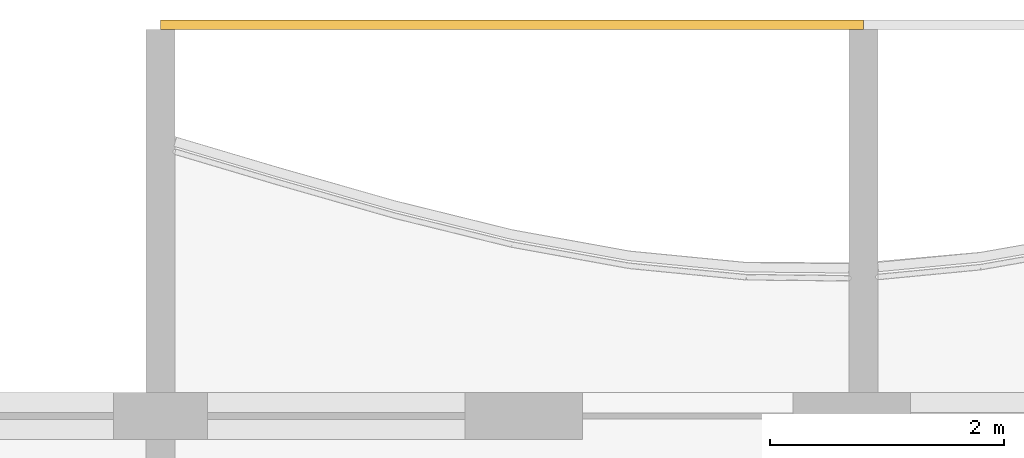
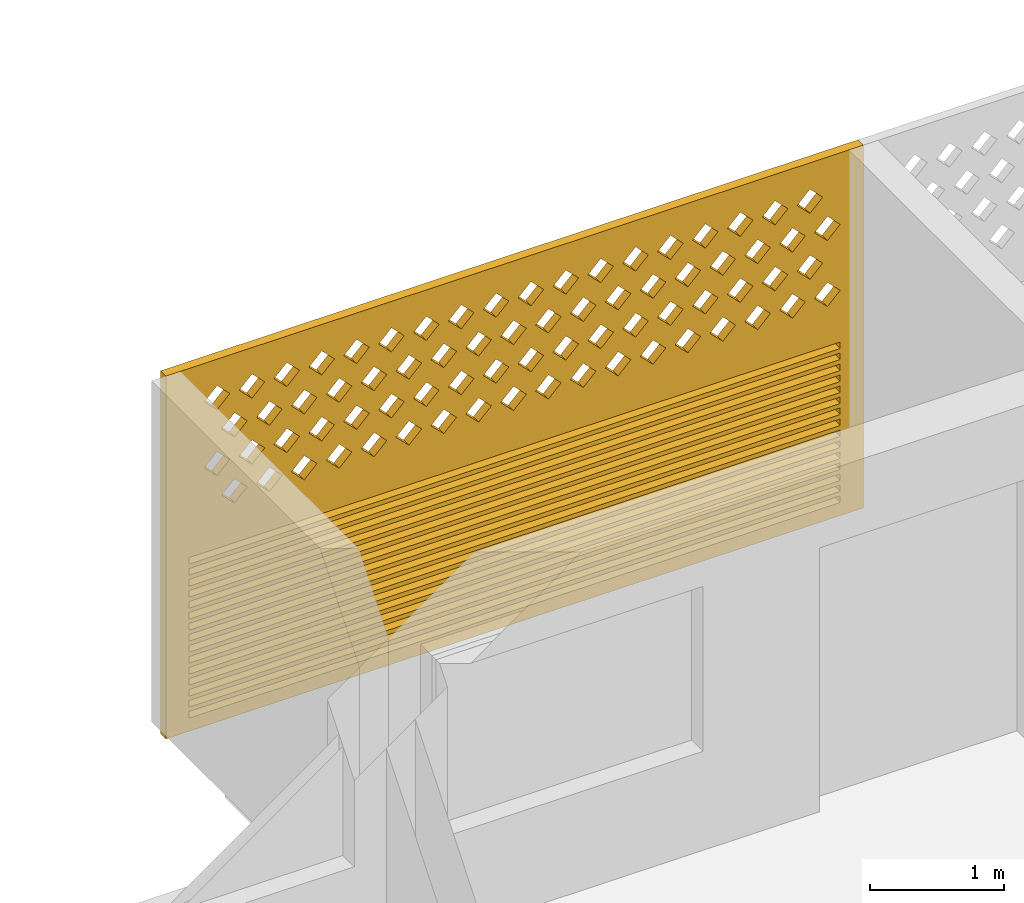
# One storey, part 22 of 26: 1 covering.
"""IFC4 building model written with IfcOpenShell, lengths in metres."""

from ifc_helpers import new_model, si_unit, direction, frame, origin, place, context, subcontext, project, spatial, polyline, outline, extrude, source, transform, mapped, material, material_profile, profile_set, type_object, element, save


model = new_model("IFC4")

# Units and contexts
model_context = context("Model", 3, precision=1e-05, world=origin(), true_north=direction((0.0, 1.0)))
body_context = subcontext(model_context, "Body", "Model", "MODEL_VIEW")
ifc_project = project(units=[si_unit("LENGTHUNIT", "METRE"), si_unit("AREAUNIT", "SQUARE_METRE"), si_unit("VOLUMEUNIT", "CUBIC_METRE"), si_unit("PLANEANGLEUNIT", "RADIAN"), si_unit("MASSUNIT", "GRAM", prefix="KILO")], contexts=[model_context])

# Site, building, storey
site_placement = place(None, origin())
site = spatial("IfcSite", under=ifc_project, at=site_placement, CompositionType="ELEMENT")
building_placement = place(site_placement, origin())
building = spatial("IfcBuilding", under=site, at=building_placement, Name="Poui Terraces", CompositionType="ELEMENT")
storey_placement = place(building_placement, frame((0.0, 0.0, 228.0)))
storey = spatial("IfcBuildingStorey", under=building, at=storey_placement, Name="L63", CompositionType="ELEMENT", Elevation=228.0)

# Covering
ifc_material = material(Name="Terracotta screen", Category="masonry")
ifc_material_profile = material_profile(ifc_material, outline(polyline([(-3.0, -1.64990234375), (3.0, -1.64990234375), (3.0, 1.64990234375), (-3.0, 1.64990234375), (-3.0, -1.64990234375)]), holes=[polyline([(-2.800048828125, 0.39990234375), (-2.68994140625, 0.2900390625), (-2.580078125, 0.39990234375), (-2.68994140625, 0.510009765625), (-2.800048828125, 0.39990234375)]), polyline([(-2.5, 0.39990234375), (-2.389892578125, 0.2900390625), (-2.280029296875, 0.39990234375), (-2.389892578125, 0.510009765625), (-2.5, 0.39990234375)]), polyline([(-2.199951171875, 0.39990234375), (-2.090087890625, 0.2900390625), (-1.97998046875, 0.39990234375), (-2.090087890625, 0.510009765625), (-2.199951171875, 0.39990234375)]), polyline([(-1.89990234375, 0.39990234375), (-1.7900390625, 0.2900390625), (-1.679931640625, 0.39990234375), (-1.7900390625, 0.510009765625), (-1.89990234375, 0.39990234375)]), polyline([(-1.60009765625, 0.39990234375), (-1.489990234375, 0.2900390625), (-1.3798828125, 0.39990234375), (-1.489990234375, 0.510009765625), (-1.60009765625, 0.39990234375)]), polyline([(-1.300048828125, 0.39990234375), (-1.18994140625, 0.2900390625), (-1.080078125, 0.39990234375), (-1.18994140625, 0.510009765625), (-1.300048828125, 0.39990234375)]), polyline([(-1.0, 0.39990234375), (-0.889892578125, 0.2900390625), (-0.780029296875, 0.39990234375), (-0.889892578125, 0.510009765625), (-1.0, 0.39990234375)]), polyline([(-0.699951171875, 0.39990234375), (-0.590087890625, 0.2900390625), (-0.47998046875, 0.39990234375), (-0.590087890625, 0.510009765625), (-0.699951171875, 0.39990234375)]), polyline([(-0.39990234375, 0.39990234375), (-0.2900390625, 0.2900390625), (-0.179931640625, 0.39990234375), (-0.2900390625, 0.510009765625), (-0.39990234375, 0.39990234375)]), polyline([(-0.10009765625, 0.39990234375), (0.010009765625, 0.2900390625), (0.1201171875, 0.39990234375), (0.010009765625, 0.510009765625), (-0.10009765625, 0.39990234375)]), polyline([(0.199951171875, 0.39990234375), (0.31005859375, 0.2900390625), (0.419921875, 0.39990234375), (0.31005859375, 0.510009765625), (0.199951171875, 0.39990234375)]), polyline([(0.5, 0.39990234375), (0.610107421875, 0.2900390625), (0.719970703125, 0.39990234375), (0.610107421875, 0.510009765625), (0.5, 0.39990234375)]), polyline([(0.800048828125, 0.39990234375), (0.909912109375, 0.2900390625), (1.02001953125, 0.39990234375), (0.909912109375, 0.510009765625), (0.800048828125, 0.39990234375)]), polyline([(1.10009765625, 0.39990234375), (1.2099609375, 0.2900390625), (1.320068359375, 0.39990234375), (1.2099609375, 0.510009765625), (1.10009765625, 0.39990234375)]), polyline([(1.39990234375, 0.39990234375), (1.510009765625, 0.2900390625), (1.6201171875, 0.39990234375), (1.510009765625, 0.510009765625), (1.39990234375, 0.39990234375)]), polyline([(1.699951171875, 0.39990234375), (1.81005859375, 0.2900390625), (1.919921875, 0.39990234375), (1.81005859375, 0.510009765625), (1.699951171875, 0.39990234375)]), polyline([(2.0, 0.39990234375), (2.110107421875, 0.2900390625), (2.219970703125, 0.39990234375), (2.110107421875, 0.510009765625), (2.0, 0.39990234375)]), polyline([(2.300048828125, 0.39990234375), (2.409912109375, 0.2900390625), (2.52001953125, 0.39990234375), (2.409912109375, 0.510009765625), (2.300048828125, 0.39990234375)]), polyline([(-2.64990234375, 0.699951171875), (-2.5400390625, 0.590087890625), (-2.429931640625, 0.699951171875), (-2.5400390625, 0.81005859375), (-2.64990234375, 0.699951171875)]), polyline([(-2.35009765625, 0.699951171875), (-2.239990234375, 0.590087890625), (-2.1298828125, 0.699951171875), (-2.239990234375, 0.81005859375), (-2.35009765625, 0.699951171875)]), polyline([(-2.050048828125, 0.699951171875), (-1.93994140625, 0.590087890625), (-1.830078125, 0.699951171875), (-1.93994140625, 0.81005859375), (-2.050048828125, 0.699951171875)]), polyline([(-1.75, 0.699951171875), (-1.639892578125, 0.590087890625), (-1.530029296875, 0.699951171875), (-1.639892578125, 0.81005859375), (-1.75, 0.699951171875)]), polyline([(-1.449951171875, 0.699951171875), (-1.340087890625, 0.590087890625), (-1.22998046875, 0.699951171875), (-1.340087890625, 0.81005859375), (-1.449951171875, 0.699951171875)]), polyline([(-1.14990234375, 0.699951171875), (-1.0400390625, 0.590087890625), (-0.929931640625, 0.699951171875), (-1.0400390625, 0.81005859375), (-1.14990234375, 0.699951171875)]), polyline([(-0.85009765625, 0.699951171875), (-0.739990234375, 0.590087890625), (-0.6298828125, 0.699951171875), (-0.739990234375, 0.81005859375), (-0.85009765625, 0.699951171875)]), polyline([(-0.550048828125, 0.699951171875), (-0.43994140625, 0.590087890625), (-0.330078125, 0.699951171875), (-0.43994140625, 0.81005859375), (-0.550048828125, 0.699951171875)]), polyline([(-0.25, 0.699951171875), (-0.139892578125, 0.590087890625), (-0.030029296875, 0.699951171875), (-0.139892578125, 0.81005859375), (-0.25, 0.699951171875)]), polyline([(0.050048828125, 0.699951171875), (0.159912109375, 0.590087890625), (0.27001953125, 0.699951171875), (0.159912109375, 0.81005859375), (0.050048828125, 0.699951171875)]), polyline([(0.35009765625, 0.699951171875), (0.4599609375, 0.590087890625), (0.570068359375, 0.699951171875), (0.4599609375, 0.81005859375), (0.35009765625, 0.699951171875)]), polyline([(0.64990234375, 0.699951171875), (0.760009765625, 0.590087890625), (0.8701171875, 0.699951171875), (0.760009765625, 0.81005859375), (0.64990234375, 0.699951171875)]), polyline([(0.949951171875, 0.699951171875), (1.06005859375, 0.590087890625), (1.169921875, 0.699951171875), (1.06005859375, 0.81005859375), (0.949951171875, 0.699951171875)]), polyline([(1.25, 0.699951171875), (1.360107421875, 0.590087890625), (1.469970703125, 0.699951171875), (1.360107421875, 0.81005859375), (1.25, 0.699951171875)]), polyline([(1.550048828125, 0.699951171875), (1.659912109375, 0.590087890625), (1.77001953125, 0.699951171875), (1.659912109375, 0.81005859375), (1.550048828125, 0.699951171875)]), polyline([(1.85009765625, 0.699951171875), (1.9599609375, 0.590087890625), (2.070068359375, 0.699951171875), (1.9599609375, 0.81005859375), (1.85009765625, 0.699951171875)]), polyline([(2.14990234375, 0.699951171875), (2.260009765625, 0.590087890625), (2.3701171875, 0.699951171875), (2.260009765625, 0.81005859375), (2.14990234375, 0.699951171875)]), polyline([(2.449951171875, 0.699951171875), (2.56005859375, 0.590087890625), (2.669921875, 0.699951171875), (2.56005859375, 0.81005859375), (2.449951171875, 0.699951171875)]), polyline([(-2.800048828125, 1.0), (-2.68994140625, 0.889892578125), (-2.580078125, 1.0), (-2.68994140625, 1.110107421875), (-2.800048828125, 1.0)]), polyline([(-2.5, 1.0), (-2.389892578125, 0.889892578125), (-2.280029296875, 1.0), (-2.389892578125, 1.110107421875), (-2.5, 1.0)]), polyline([(-2.199951171875, 1.0), (-2.090087890625, 0.889892578125), (-1.97998046875, 1.0), (-2.090087890625, 1.110107421875), (-2.199951171875, 1.0)]), polyline([(-1.89990234375, 1.0), (-1.7900390625, 0.889892578125), (-1.679931640625, 1.0), (-1.7900390625, 1.110107421875), (-1.89990234375, 1.0)]), polyline([(-1.60009765625, 1.0), (-1.489990234375, 0.889892578125), (-1.3798828125, 1.0), (-1.489990234375, 1.110107421875), (-1.60009765625, 1.0)]), polyline([(-1.300048828125, 1.0), (-1.18994140625, 0.889892578125), (-1.080078125, 1.0), (-1.18994140625, 1.110107421875), (-1.300048828125, 1.0)]), polyline([(-1.0, 1.0), (-0.889892578125, 0.889892578125), (-0.780029296875, 1.0), (-0.889892578125, 1.110107421875), (-1.0, 1.0)]), polyline([(-0.699951171875, 1.0), (-0.590087890625, 0.889892578125), (-0.47998046875, 1.0), (-0.590087890625, 1.110107421875), (-0.699951171875, 1.0)]), polyline([(-0.39990234375, 1.0), (-0.2900390625, 0.889892578125), (-0.179931640625, 1.0), (-0.2900390625, 1.110107421875), (-0.39990234375, 1.0)]), polyline([(-0.10009765625, 1.0), (0.010009765625, 0.889892578125), (0.1201171875, 1.0), (0.010009765625, 1.110107421875), (-0.10009765625, 1.0)]), polyline([(0.199951171875, 1.0), (0.31005859375, 0.889892578125), (0.419921875, 1.0), (0.31005859375, 1.110107421875), (0.199951171875, 1.0)]), polyline([(0.5, 1.0), (0.610107421875, 0.889892578125), (0.719970703125, 1.0), (0.610107421875, 1.110107421875), (0.5, 1.0)]), polyline([(0.800048828125, 1.0), (0.909912109375, 0.889892578125), (1.02001953125, 1.0), (0.909912109375, 1.110107421875), (0.800048828125, 1.0)]), polyline([(1.10009765625, 1.0), (1.2099609375, 0.889892578125), (1.320068359375, 1.0), (1.2099609375, 1.110107421875), (1.10009765625, 1.0)]), polyline([(1.39990234375, 1.0), (1.510009765625, 0.889892578125), (1.6201171875, 1.0), (1.510009765625, 1.110107421875), (1.39990234375, 1.0)]), polyline([(1.699951171875, 1.0), (1.81005859375, 0.889892578125), (1.919921875, 1.0), (1.81005859375, 1.110107421875), (1.699951171875, 1.0)]), polyline([(2.0, 1.0), (2.110107421875, 0.889892578125), (2.219970703125, 1.0), (2.110107421875, 1.110107421875), (2.0, 1.0)]), polyline([(2.300048828125, 1.0), (2.409912109375, 0.889892578125), (2.52001953125, 1.0), (2.409912109375, 1.110107421875), (2.300048828125, 1.0)]), polyline([(-2.64990234375, 1.300048828125), (-2.5400390625, 1.18994140625), (-2.429931640625, 1.300048828125), (-2.5400390625, 1.409912109375), (-2.64990234375, 1.300048828125)]), polyline([(-2.35009765625, 1.300048828125), (-2.239990234375, 1.18994140625), (-2.1298828125, 1.300048828125), (-2.239990234375, 1.409912109375), (-2.35009765625, 1.300048828125)]), polyline([(-2.050048828125, 1.300048828125), (-1.93994140625, 1.18994140625), (-1.830078125, 1.300048828125), (-1.93994140625, 1.409912109375), (-2.050048828125, 1.300048828125)]), polyline([(-1.75, 1.300048828125), (-1.639892578125, 1.18994140625), (-1.530029296875, 1.300048828125), (-1.639892578125, 1.409912109375), (-1.75, 1.300048828125)]), polyline([(-1.449951171875, 1.300048828125), (-1.340087890625, 1.18994140625), (-1.22998046875, 1.300048828125), (-1.340087890625, 1.409912109375), (-1.449951171875, 1.300048828125)]), polyline([(-1.14990234375, 1.300048828125), (-1.0400390625, 1.18994140625), (-0.929931640625, 1.300048828125), (-1.0400390625, 1.409912109375), (-1.14990234375, 1.300048828125)]), polyline([(-0.85009765625, 1.300048828125), (-0.739990234375, 1.18994140625), (-0.6298828125, 1.300048828125), (-0.739990234375, 1.409912109375), (-0.85009765625, 1.300048828125)]), polyline([(-0.550048828125, 1.300048828125), (-0.43994140625, 1.18994140625), (-0.330078125, 1.300048828125), (-0.43994140625, 1.409912109375), (-0.550048828125, 1.300048828125)]), polyline([(-0.25, 1.300048828125), (-0.139892578125, 1.18994140625), (-0.030029296875, 1.300048828125), (-0.139892578125, 1.409912109375), (-0.25, 1.300048828125)]), polyline([(0.050048828125, 1.300048828125), (0.159912109375, 1.18994140625), (0.27001953125, 1.300048828125), (0.159912109375, 1.409912109375), (0.050048828125, 1.300048828125)]), polyline([(0.35009765625, 1.300048828125), (0.4599609375, 1.18994140625), (0.570068359375, 1.300048828125), (0.4599609375, 1.409912109375), (0.35009765625, 1.300048828125)]), polyline([(0.64990234375, 1.300048828125), (0.760009765625, 1.18994140625), (0.8701171875, 1.300048828125), (0.760009765625, 1.409912109375), (0.64990234375, 1.300048828125)]), polyline([(0.949951171875, 1.300048828125), (1.06005859375, 1.18994140625), (1.169921875, 1.300048828125), (1.06005859375, 1.409912109375), (0.949951171875, 1.300048828125)]), polyline([(1.25, 1.300048828125), (1.360107421875, 1.18994140625), (1.469970703125, 1.300048828125), (1.360107421875, 1.409912109375), (1.25, 1.300048828125)]), polyline([(1.550048828125, 1.300048828125), (1.659912109375, 1.18994140625), (1.77001953125, 1.300048828125), (1.659912109375, 1.409912109375), (1.550048828125, 1.300048828125)]), polyline([(1.85009765625, 1.300048828125), (1.9599609375, 1.18994140625), (2.070068359375, 1.300048828125), (1.9599609375, 1.409912109375), (1.85009765625, 1.300048828125)]), polyline([(2.14990234375, 1.300048828125), (2.260009765625, 1.18994140625), (2.3701171875, 1.300048828125), (2.260009765625, 1.409912109375), (2.14990234375, 1.300048828125)]), polyline([(2.449951171875, 1.300048828125), (2.56005859375, 1.18994140625), (2.669921875, 1.300048828125), (2.56005859375, 1.409912109375), (2.449951171875, 1.300048828125)]), polyline([(-2.800048828125, -1.530029296875), (2.800048828125, -1.530029296875), (2.800048828125, -1.469970703125), (-2.800048828125, -1.469970703125), (-2.800048828125, -1.530029296875)]), polyline([(-2.800048828125, -1.429931640625), (2.800048828125, -1.429931640625), (2.800048828125, -1.3701171875), (-2.800048828125, -1.3701171875), (-2.800048828125, -1.429931640625)]), polyline([(-2.800048828125, -1.330078125), (2.800048828125, -1.330078125), (2.800048828125, -1.27001953125), (-2.800048828125, -1.27001953125), (-2.800048828125, -1.330078125)]), polyline([(-2.800048828125, -1.22998046875), (2.800048828125, -1.22998046875), (2.800048828125, -1.169921875), (-2.800048828125, -1.169921875), (-2.800048828125, -1.22998046875)]), polyline([(-2.800048828125, -1.1298828125), (2.800048828125, -1.1298828125), (2.800048828125, -1.070068359375), (-2.800048828125, -1.070068359375), (-2.800048828125, -1.1298828125)]), polyline([(-2.800048828125, -1.030029296875), (2.800048828125, -1.030029296875), (2.800048828125, -0.969970703125), (-2.800048828125, -0.969970703125), (-2.800048828125, -1.030029296875)]), polyline([(-2.800048828125, -0.929931640625), (2.800048828125, -0.929931640625), (2.800048828125, -0.8701171875), (-2.800048828125, -0.8701171875), (-2.800048828125, -0.929931640625)]), polyline([(-2.800048828125, -0.830078125), (2.800048828125, -0.830078125), (2.800048828125, -0.77001953125), (-2.800048828125, -0.77001953125), (-2.800048828125, -0.830078125)]), polyline([(-2.800048828125, -0.72998046875), (2.800048828125, -0.72998046875), (2.800048828125, -0.669921875), (-2.800048828125, -0.669921875), (-2.800048828125, -0.72998046875)]), polyline([(-2.800048828125, -0.6298828125), (2.800048828125, -0.6298828125), (2.800048828125, -0.570068359375), (-2.800048828125, -0.570068359375), (-2.800048828125, -0.6298828125)]), polyline([(-2.800048828125, -0.530029296875), (2.800048828125, -0.530029296875), (2.800048828125, -0.469970703125), (-2.800048828125, -0.469970703125), (-2.800048828125, -0.530029296875)]), polyline([(-2.800048828125, -0.429931640625), (2.800048828125, -0.429931640625), (2.800048828125, -0.3701171875), (-2.800048828125, -0.3701171875), (-2.800048828125, -0.429931640625)]), polyline([(-2.800048828125, -0.330078125), (2.800048828125, -0.330078125), (2.800048828125, -0.27001953125), (-2.800048828125, -0.27001953125), (-2.800048828125, -0.330078125)]), polyline([(-2.800048828125, -0.22998046875), (2.800048828125, -0.22998046875), (2.800048828125, -0.169921875), (-2.800048828125, -0.169921875), (-2.800048828125, -0.22998046875)]), polyline([(-2.800048828125, -0.1298828125), (2.800048828125, -0.1298828125), (2.800048828125, -0.070068359375), (-2.800048828125, -0.070068359375), (-2.800048828125, -0.1298828125)])]), Name="TERRACOTTA SCREEN AND JALOUSIE LOUVRE 6000X3300")
ifc_profile_set = profile_set([ifc_material_profile], Name="Terracotta screen")
covering_type = type_object("IfcCoveringType", Name="TERRACOTTA SCREEN AND JALOUSIE LOUVRE 6000X3300", PredefinedType="CLADDING", material=ifc_profile_set)
shared_shape = source(origin(), body_context, "Body", "SweptSolid", [
    extrude(outline(polyline([(-3.0, -1.64990234375), (3.0, -1.64990234375), (3.0, 1.64990234375), (-3.0, 1.64990234375), (-3.0, -1.64990234375)]), holes=[polyline([(-2.800048828125, 0.39990234375), (-2.68994140625, 0.2900390625), (-2.580078125, 0.39990234375), (-2.68994140625, 0.510009765625), (-2.800048828125, 0.39990234375)]), polyline([(-2.5, 0.39990234375), (-2.389892578125, 0.2900390625), (-2.280029296875, 0.39990234375), (-2.389892578125, 0.510009765625), (-2.5, 0.39990234375)]), polyline([(-2.199951171875, 0.39990234375), (-2.090087890625, 0.2900390625), (-1.97998046875, 0.39990234375), (-2.090087890625, 0.510009765625), (-2.199951171875, 0.39990234375)]), polyline([(-1.89990234375, 0.39990234375), (-1.7900390625, 0.2900390625), (-1.679931640625, 0.39990234375), (-1.7900390625, 0.510009765625), (-1.89990234375, 0.39990234375)]), polyline([(-1.60009765625, 0.39990234375), (-1.489990234375, 0.2900390625), (-1.3798828125, 0.39990234375), (-1.489990234375, 0.510009765625), (-1.60009765625, 0.39990234375)]), polyline([(-1.300048828125, 0.39990234375), (-1.18994140625, 0.2900390625), (-1.080078125, 0.39990234375), (-1.18994140625, 0.510009765625), (-1.300048828125, 0.39990234375)]), polyline([(-1.0, 0.39990234375), (-0.889892578125, 0.2900390625), (-0.780029296875, 0.39990234375), (-0.889892578125, 0.510009765625), (-1.0, 0.39990234375)]), polyline([(-0.699951171875, 0.39990234375), (-0.590087890625, 0.2900390625), (-0.47998046875, 0.39990234375), (-0.590087890625, 0.510009765625), (-0.699951171875, 0.39990234375)]), polyline([(-0.39990234375, 0.39990234375), (-0.2900390625, 0.2900390625), (-0.179931640625, 0.39990234375), (-0.2900390625, 0.510009765625), (-0.39990234375, 0.39990234375)]), polyline([(-0.10009765625, 0.39990234375), (0.010009765625, 0.2900390625), (0.1201171875, 0.39990234375), (0.010009765625, 0.510009765625), (-0.10009765625, 0.39990234375)]), polyline([(0.199951171875, 0.39990234375), (0.31005859375, 0.2900390625), (0.419921875, 0.39990234375), (0.31005859375, 0.510009765625), (0.199951171875, 0.39990234375)]), polyline([(0.5, 0.39990234375), (0.610107421875, 0.2900390625), (0.719970703125, 0.39990234375), (0.610107421875, 0.510009765625), (0.5, 0.39990234375)]), polyline([(0.800048828125, 0.39990234375), (0.909912109375, 0.2900390625), (1.02001953125, 0.39990234375), (0.909912109375, 0.510009765625), (0.800048828125, 0.39990234375)]), polyline([(1.10009765625, 0.39990234375), (1.2099609375, 0.2900390625), (1.320068359375, 0.39990234375), (1.2099609375, 0.510009765625), (1.10009765625, 0.39990234375)]), polyline([(1.39990234375, 0.39990234375), (1.510009765625, 0.2900390625), (1.6201171875, 0.39990234375), (1.510009765625, 0.510009765625), (1.39990234375, 0.39990234375)]), polyline([(1.699951171875, 0.39990234375), (1.81005859375, 0.2900390625), (1.919921875, 0.39990234375), (1.81005859375, 0.510009765625), (1.699951171875, 0.39990234375)]), polyline([(2.0, 0.39990234375), (2.110107421875, 0.2900390625), (2.219970703125, 0.39990234375), (2.110107421875, 0.510009765625), (2.0, 0.39990234375)]), polyline([(2.300048828125, 0.39990234375), (2.409912109375, 0.2900390625), (2.52001953125, 0.39990234375), (2.409912109375, 0.510009765625), (2.300048828125, 0.39990234375)]), polyline([(-2.64990234375, 0.699951171875), (-2.5400390625, 0.590087890625), (-2.429931640625, 0.699951171875), (-2.5400390625, 0.81005859375), (-2.64990234375, 0.699951171875)]), polyline([(-2.35009765625, 0.699951171875), (-2.239990234375, 0.590087890625), (-2.1298828125, 0.699951171875), (-2.239990234375, 0.81005859375), (-2.35009765625, 0.699951171875)]), polyline([(-2.050048828125, 0.699951171875), (-1.93994140625, 0.590087890625), (-1.830078125, 0.699951171875), (-1.93994140625, 0.81005859375), (-2.050048828125, 0.699951171875)]), polyline([(-1.75, 0.699951171875), (-1.639892578125, 0.590087890625), (-1.530029296875, 0.699951171875), (-1.639892578125, 0.81005859375), (-1.75, 0.699951171875)]), polyline([(-1.449951171875, 0.699951171875), (-1.340087890625, 0.590087890625), (-1.22998046875, 0.699951171875), (-1.340087890625, 0.81005859375), (-1.449951171875, 0.699951171875)]), polyline([(-1.14990234375, 0.699951171875), (-1.0400390625, 0.590087890625), (-0.929931640625, 0.699951171875), (-1.0400390625, 0.81005859375), (-1.14990234375, 0.699951171875)]), polyline([(-0.85009765625, 0.699951171875), (-0.739990234375, 0.590087890625), (-0.6298828125, 0.699951171875), (-0.739990234375, 0.81005859375), (-0.85009765625, 0.699951171875)]), polyline([(-0.550048828125, 0.699951171875), (-0.43994140625, 0.590087890625), (-0.330078125, 0.699951171875), (-0.43994140625, 0.81005859375), (-0.550048828125, 0.699951171875)]), polyline([(-0.25, 0.699951171875), (-0.139892578125, 0.590087890625), (-0.030029296875, 0.699951171875), (-0.139892578125, 0.81005859375), (-0.25, 0.699951171875)]), polyline([(0.050048828125, 0.699951171875), (0.159912109375, 0.590087890625), (0.27001953125, 0.699951171875), (0.159912109375, 0.81005859375), (0.050048828125, 0.699951171875)]), polyline([(0.35009765625, 0.699951171875), (0.4599609375, 0.590087890625), (0.570068359375, 0.699951171875), (0.4599609375, 0.81005859375), (0.35009765625, 0.699951171875)]), polyline([(0.64990234375, 0.699951171875), (0.760009765625, 0.590087890625), (0.8701171875, 0.699951171875), (0.760009765625, 0.81005859375), (0.64990234375, 0.699951171875)]), polyline([(0.949951171875, 0.699951171875), (1.06005859375, 0.590087890625), (1.169921875, 0.699951171875), (1.06005859375, 0.81005859375), (0.949951171875, 0.699951171875)]), polyline([(1.25, 0.699951171875), (1.360107421875, 0.590087890625), (1.469970703125, 0.699951171875), (1.360107421875, 0.81005859375), (1.25, 0.699951171875)]), polyline([(1.550048828125, 0.699951171875), (1.659912109375, 0.590087890625), (1.77001953125, 0.699951171875), (1.659912109375, 0.81005859375), (1.550048828125, 0.699951171875)]), polyline([(1.85009765625, 0.699951171875), (1.9599609375, 0.590087890625), (2.070068359375, 0.699951171875), (1.9599609375, 0.81005859375), (1.85009765625, 0.699951171875)]), polyline([(2.14990234375, 0.699951171875), (2.260009765625, 0.590087890625), (2.3701171875, 0.699951171875), (2.260009765625, 0.81005859375), (2.14990234375, 0.699951171875)]), polyline([(2.449951171875, 0.699951171875), (2.56005859375, 0.590087890625), (2.669921875, 0.699951171875), (2.56005859375, 0.81005859375), (2.449951171875, 0.699951171875)]), polyline([(-2.800048828125, 1.0), (-2.68994140625, 0.889892578125), (-2.580078125, 1.0), (-2.68994140625, 1.110107421875), (-2.800048828125, 1.0)]), polyline([(-2.5, 1.0), (-2.389892578125, 0.889892578125), (-2.280029296875, 1.0), (-2.389892578125, 1.110107421875), (-2.5, 1.0)]), polyline([(-2.199951171875, 1.0), (-2.090087890625, 0.889892578125), (-1.97998046875, 1.0), (-2.090087890625, 1.110107421875), (-2.199951171875, 1.0)]), polyline([(-1.89990234375, 1.0), (-1.7900390625, 0.889892578125), (-1.679931640625, 1.0), (-1.7900390625, 1.110107421875), (-1.89990234375, 1.0)]), polyline([(-1.60009765625, 1.0), (-1.489990234375, 0.889892578125), (-1.3798828125, 1.0), (-1.489990234375, 1.110107421875), (-1.60009765625, 1.0)]), polyline([(-1.300048828125, 1.0), (-1.18994140625, 0.889892578125), (-1.080078125, 1.0), (-1.18994140625, 1.110107421875), (-1.300048828125, 1.0)]), polyline([(-1.0, 1.0), (-0.889892578125, 0.889892578125), (-0.780029296875, 1.0), (-0.889892578125, 1.110107421875), (-1.0, 1.0)]), polyline([(-0.699951171875, 1.0), (-0.590087890625, 0.889892578125), (-0.47998046875, 1.0), (-0.590087890625, 1.110107421875), (-0.699951171875, 1.0)]), polyline([(-0.39990234375, 1.0), (-0.2900390625, 0.889892578125), (-0.179931640625, 1.0), (-0.2900390625, 1.110107421875), (-0.39990234375, 1.0)]), polyline([(-0.10009765625, 1.0), (0.010009765625, 0.889892578125), (0.1201171875, 1.0), (0.010009765625, 1.110107421875), (-0.10009765625, 1.0)]), polyline([(0.199951171875, 1.0), (0.31005859375, 0.889892578125), (0.419921875, 1.0), (0.31005859375, 1.110107421875), (0.199951171875, 1.0)]), polyline([(0.5, 1.0), (0.610107421875, 0.889892578125), (0.719970703125, 1.0), (0.610107421875, 1.110107421875), (0.5, 1.0)]), polyline([(0.800048828125, 1.0), (0.909912109375, 0.889892578125), (1.02001953125, 1.0), (0.909912109375, 1.110107421875), (0.800048828125, 1.0)]), polyline([(1.10009765625, 1.0), (1.2099609375, 0.889892578125), (1.320068359375, 1.0), (1.2099609375, 1.110107421875), (1.10009765625, 1.0)]), polyline([(1.39990234375, 1.0), (1.510009765625, 0.889892578125), (1.6201171875, 1.0), (1.510009765625, 1.110107421875), (1.39990234375, 1.0)]), polyline([(1.699951171875, 1.0), (1.81005859375, 0.889892578125), (1.919921875, 1.0), (1.81005859375, 1.110107421875), (1.699951171875, 1.0)]), polyline([(2.0, 1.0), (2.110107421875, 0.889892578125), (2.219970703125, 1.0), (2.110107421875, 1.110107421875), (2.0, 1.0)]), polyline([(2.300048828125, 1.0), (2.409912109375, 0.889892578125), (2.52001953125, 1.0), (2.409912109375, 1.110107421875), (2.300048828125, 1.0)]), polyline([(-2.64990234375, 1.300048828125), (-2.5400390625, 1.18994140625), (-2.429931640625, 1.300048828125), (-2.5400390625, 1.409912109375), (-2.64990234375, 1.300048828125)]), polyline([(-2.35009765625, 1.300048828125), (-2.239990234375, 1.18994140625), (-2.1298828125, 1.300048828125), (-2.239990234375, 1.409912109375), (-2.35009765625, 1.300048828125)]), polyline([(-2.050048828125, 1.300048828125), (-1.93994140625, 1.18994140625), (-1.830078125, 1.300048828125), (-1.93994140625, 1.409912109375), (-2.050048828125, 1.300048828125)]), polyline([(-1.75, 1.300048828125), (-1.639892578125, 1.18994140625), (-1.530029296875, 1.300048828125), (-1.639892578125, 1.409912109375), (-1.75, 1.300048828125)]), polyline([(-1.449951171875, 1.300048828125), (-1.340087890625, 1.18994140625), (-1.22998046875, 1.300048828125), (-1.340087890625, 1.409912109375), (-1.449951171875, 1.300048828125)]), polyline([(-1.14990234375, 1.300048828125), (-1.0400390625, 1.18994140625), (-0.929931640625, 1.300048828125), (-1.0400390625, 1.409912109375), (-1.14990234375, 1.300048828125)]), polyline([(-0.85009765625, 1.300048828125), (-0.739990234375, 1.18994140625), (-0.6298828125, 1.300048828125), (-0.739990234375, 1.409912109375), (-0.85009765625, 1.300048828125)]), polyline([(-0.550048828125, 1.300048828125), (-0.43994140625, 1.18994140625), (-0.330078125, 1.300048828125), (-0.43994140625, 1.409912109375), (-0.550048828125, 1.300048828125)]), polyline([(-0.25, 1.300048828125), (-0.139892578125, 1.18994140625), (-0.030029296875, 1.300048828125), (-0.139892578125, 1.409912109375), (-0.25, 1.300048828125)]), polyline([(0.050048828125, 1.300048828125), (0.159912109375, 1.18994140625), (0.27001953125, 1.300048828125), (0.159912109375, 1.409912109375), (0.050048828125, 1.300048828125)]), polyline([(0.35009765625, 1.300048828125), (0.4599609375, 1.18994140625), (0.570068359375, 1.300048828125), (0.4599609375, 1.409912109375), (0.35009765625, 1.300048828125)]), polyline([(0.64990234375, 1.300048828125), (0.760009765625, 1.18994140625), (0.8701171875, 1.300048828125), (0.760009765625, 1.409912109375), (0.64990234375, 1.300048828125)]), polyline([(0.949951171875, 1.300048828125), (1.06005859375, 1.18994140625), (1.169921875, 1.300048828125), (1.06005859375, 1.409912109375), (0.949951171875, 1.300048828125)]), polyline([(1.25, 1.300048828125), (1.360107421875, 1.18994140625), (1.469970703125, 1.300048828125), (1.360107421875, 1.409912109375), (1.25, 1.300048828125)]), polyline([(1.550048828125, 1.300048828125), (1.659912109375, 1.18994140625), (1.77001953125, 1.300048828125), (1.659912109375, 1.409912109375), (1.550048828125, 1.300048828125)]), polyline([(1.85009765625, 1.300048828125), (1.9599609375, 1.18994140625), (2.070068359375, 1.300048828125), (1.9599609375, 1.409912109375), (1.85009765625, 1.300048828125)]), polyline([(2.14990234375, 1.300048828125), (2.260009765625, 1.18994140625), (2.3701171875, 1.300048828125), (2.260009765625, 1.409912109375), (2.14990234375, 1.300048828125)]), polyline([(2.449951171875, 1.300048828125), (2.56005859375, 1.18994140625), (2.669921875, 1.300048828125), (2.56005859375, 1.409912109375), (2.449951171875, 1.300048828125)]), polyline([(-2.800048828125, -1.530029296875), (2.800048828125, -1.530029296875), (2.800048828125, -1.469970703125), (-2.800048828125, -1.469970703125), (-2.800048828125, -1.530029296875)]), polyline([(-2.800048828125, -1.429931640625), (2.800048828125, -1.429931640625), (2.800048828125, -1.3701171875), (-2.800048828125, -1.3701171875), (-2.800048828125, -1.429931640625)]), polyline([(-2.800048828125, -1.330078125), (2.800048828125, -1.330078125), (2.800048828125, -1.27001953125), (-2.800048828125, -1.27001953125), (-2.800048828125, -1.330078125)]), polyline([(-2.800048828125, -1.22998046875), (2.800048828125, -1.22998046875), (2.800048828125, -1.169921875), (-2.800048828125, -1.169921875), (-2.800048828125, -1.22998046875)]), polyline([(-2.800048828125, -1.1298828125), (2.800048828125, -1.1298828125), (2.800048828125, -1.070068359375), (-2.800048828125, -1.070068359375), (-2.800048828125, -1.1298828125)]), polyline([(-2.800048828125, -1.030029296875), (2.800048828125, -1.030029296875), (2.800048828125, -0.969970703125), (-2.800048828125, -0.969970703125), (-2.800048828125, -1.030029296875)]), polyline([(-2.800048828125, -0.929931640625), (2.800048828125, -0.929931640625), (2.800048828125, -0.8701171875), (-2.800048828125, -0.8701171875), (-2.800048828125, -0.929931640625)]), polyline([(-2.800048828125, -0.830078125), (2.800048828125, -0.830078125), (2.800048828125, -0.77001953125), (-2.800048828125, -0.77001953125), (-2.800048828125, -0.830078125)]), polyline([(-2.800048828125, -0.72998046875), (2.800048828125, -0.72998046875), (2.800048828125, -0.669921875), (-2.800048828125, -0.669921875), (-2.800048828125, -0.72998046875)]), polyline([(-2.800048828125, -0.6298828125), (2.800048828125, -0.6298828125), (2.800048828125, -0.570068359375), (-2.800048828125, -0.570068359375), (-2.800048828125, -0.6298828125)]), polyline([(-2.800048828125, -0.530029296875), (2.800048828125, -0.530029296875), (2.800048828125, -0.469970703125), (-2.800048828125, -0.469970703125), (-2.800048828125, -0.530029296875)]), polyline([(-2.800048828125, -0.429931640625), (2.800048828125, -0.429931640625), (2.800048828125, -0.3701171875), (-2.800048828125, -0.3701171875), (-2.800048828125, -0.429931640625)]), polyline([(-2.800048828125, -0.330078125), (2.800048828125, -0.330078125), (2.800048828125, -0.27001953125), (-2.800048828125, -0.27001953125), (-2.800048828125, -0.330078125)]), polyline([(-2.800048828125, -0.22998046875), (2.800048828125, -0.22998046875), (2.800048828125, -0.169921875), (-2.800048828125, -0.169921875), (-2.800048828125, -0.22998046875)]), polyline([(-2.800048828125, -0.1298828125), (2.800048828125, -0.1298828125), (2.800048828125, -0.070068359375), (-2.800048828125, -0.070068359375), (-2.800048828125, -0.1298828125)])]), origin(), (0.0, 0.0, 1.0), 0.080078125),
])
covering_placement = place(storey_placement, frame((63.0, 44.5, 1.449951171875), z_axis=(0.0, 1.0, 0.0), x_axis=(-1.0, 0.0, 0.0)))
element("IfcCovering", 1, at=covering_placement, inside=storey, type_object=covering_type, Name="SOLAR SCREEN AND JALOUSIE LOUVRE", PredefinedType="CLADDING", context=body_context, shape_type="MappedRepresentation", body=[
    mapped(shared_shape, transform((0.0, 0.0, 0.0))),
])

save(model, "model.ifc")
